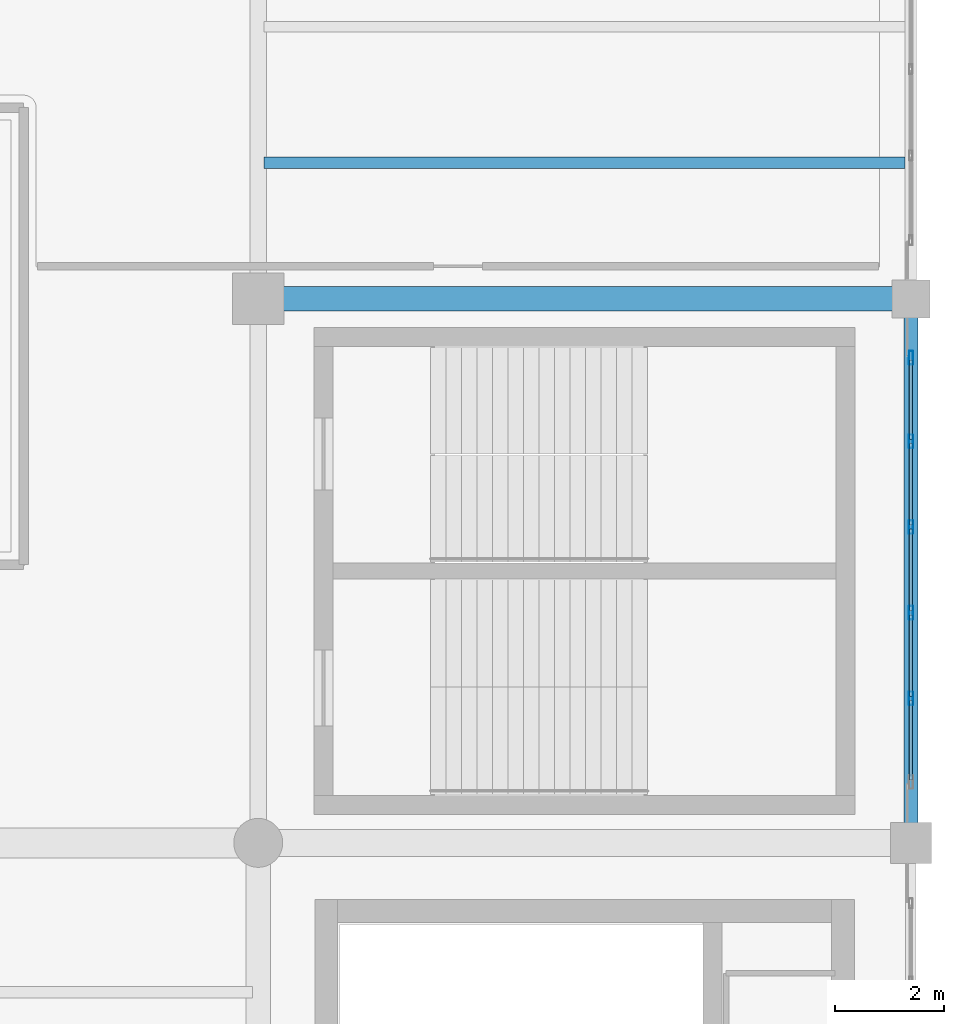
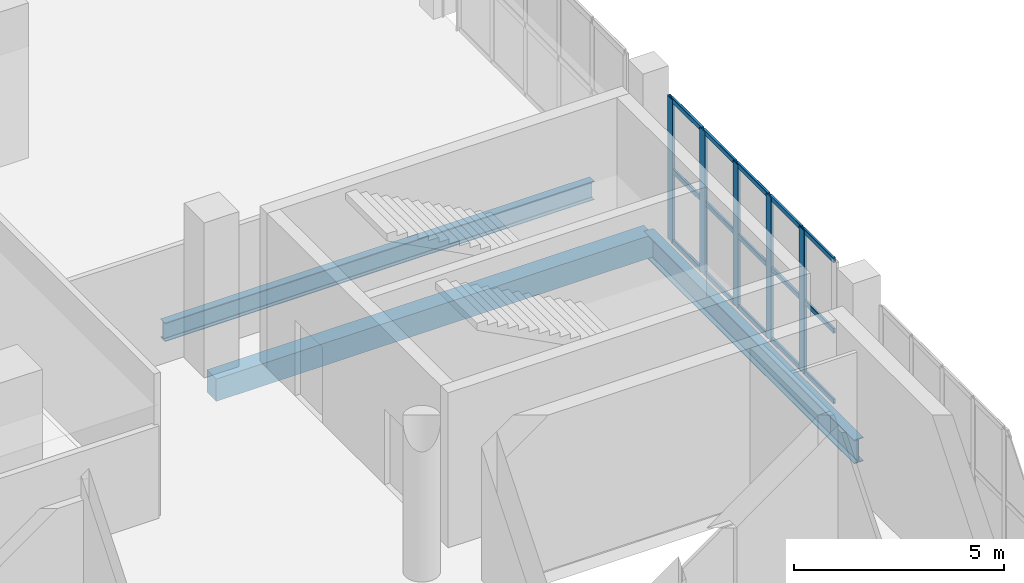
# One storey, part 38 of 90: 20 members, 3 beams, 1 element without a shape of its own.
"""IFC4 building model written with IfcOpenShell, lengths in metres."""

from ifc_helpers import new_model, si_unit, direction, frame, origin, origin_2d, place, context, subcontext, project, spatial, rectangle, hollow_rectangle, i_section, extrude, material, layer, layer_set, material_profile, profile_set, type_object, element, aggregate, save


model = new_model("IFC4")

# Units and contexts
model_context = context("Model", 3, precision=1e-05, world=origin(), true_north=direction((0.0, 1.0)))
body_context = subcontext(model_context, "Body", "Model", "MODEL_VIEW")
ifc_project = project(units=[si_unit("LENGTHUNIT", "METRE"), si_unit("AREAUNIT", "SQUARE_METRE"), si_unit("VOLUMEUNIT", "CUBIC_METRE"), si_unit("PLANEANGLEUNIT", "RADIAN"), si_unit("MASSUNIT", "GRAM", prefix="KILO")], contexts=[model_context])

# Site, building, storey
site_placement = place(None, origin())
site = spatial("IfcSite", under=ifc_project, at=site_placement, CompositionType="ELEMENT")
building_placement = place(site_placement, origin())
building = spatial("IfcBuilding", under=site, at=building_placement, Name="Brinegate Civic Arena", CompositionType="ELEMENT")
storey_placement = place(building_placement, frame((0.0, 0.0, 14.699951171875)))
storey = spatial("IfcBuildingStorey", under=building, at=storey_placement, Name="L03", CompositionType="ELEMENT", Elevation=14.699951171875)

# Curtain wall, members
ifc_material_1 = material(Name="Marine grade aluminium", Category="aluminium")
ifc_layer = layer(ifc_material_1, 0.199951171875, Name="Marine grade aluminium")
ifc_layer_set = layer_set([ifc_layer], Name="Marine grade aluminium")
curtain_wall_type = type_object("IfcCurtainWallType", Name="CW-BOWL-GLAZED-01", PredefinedType="USERDEFINED", material=ifc_layer_set)
curtain_wall_placement = place(storey_placement, origin())
curtain_wall = element("IfcCurtainWall", 1, at=curtain_wall_placement, inside=storey, type_object=curtain_wall_type, Name="Curtain Wall CWA-110", ObjectType="GLAZED CURTAIN WALL", PredefinedType="USERDEFINED")
ifc_material_profile_1 = material_profile(ifc_material_1, hollow_rectangle(XDim=0.074951171875, YDim=0.25, WallThickness=0.006103515625, InnerFilletRadius=0.00390625, OuterFilletRadius=0.008056640625, at=origin_2d()), Name="MUL75X250")
ifc_profile_set_1 = profile_set([ifc_material_profile_1], Name="Marine grade aluminium")
member_type_1 = type_object("IfcMemberType", Name="CW-MULLION-75X250", PredefinedType="MULLION", material=ifc_profile_set_1)
member_1_placement = place(storey_placement, frame((168.0, 44.655029296875, 0.0), z_axis=(0.0, 0.0, 1.0), x_axis=(-1.0, 0.0, 0.0)))
member_1 = element("IfcMember", 2, at=member_1_placement, type_object=member_type_1, Name="CWA-110 mullion 2", PredefinedType="MULLION", context=body_context, shape_type="SweptSolid", body=[
    extrude(hollow_rectangle(XDim=0.074951171875, YDim=0.25, WallThickness=0.006103515625, InnerFilletRadius=0.00390625, OuterFilletRadius=0.008056640625, at=origin_2d()), origin(), (0.0, 0.0, 1.0), 4.16015625),
])
member_2_placement = place(storey_placement, frame((168.0, 46.22998046875, 0.0), z_axis=(0.0, 0.0, 1.0), x_axis=(-1.0, 0.0, 0.0)))
member_2 = element("IfcMember", 3, at=member_2_placement, type_object=member_type_1, Name="CWA-110 mullion 3", PredefinedType="MULLION", context=body_context, shape_type="SweptSolid", body=[
    extrude(hollow_rectangle(XDim=0.074951171875, YDim=0.25, WallThickness=0.006103515625, InnerFilletRadius=0.00390625, OuterFilletRadius=0.008056640625, at=origin_2d()), origin(), (0.0, 0.0, 1.0), 4.16015625),
])
member_3_placement = place(storey_placement, frame((168.0, 47.804931640625, 0.0), z_axis=(0.0, 0.0, 1.0), x_axis=(-1.0, 0.0, 0.0)))
member_3 = element("IfcMember", 4, at=member_3_placement, type_object=member_type_1, Name="CWA-110 mullion 4", PredefinedType="MULLION", context=body_context, shape_type="SweptSolid", body=[
    extrude(hollow_rectangle(XDim=0.074951171875, YDim=0.25, WallThickness=0.006103515625, InnerFilletRadius=0.00390625, OuterFilletRadius=0.008056640625, at=origin_2d()), origin(), (0.0, 0.0, 1.0), 4.16015625),
])
member_4_placement = place(storey_placement, frame((168.0, 49.3798828125, 0.0), z_axis=(0.0, 0.0, 1.0), x_axis=(-1.0, 0.0, 0.0)))
member_4 = element("IfcMember", 5, at=member_4_placement, type_object=member_type_1, Name="CWA-110 mullion 5", PredefinedType="MULLION", context=body_context, shape_type="SweptSolid", body=[
    extrude(hollow_rectangle(XDim=0.074951171875, YDim=0.25, WallThickness=0.006103515625, InnerFilletRadius=0.00390625, OuterFilletRadius=0.008056640625, at=origin_2d()), origin(), (0.0, 0.0, 1.0), 4.16015625),
])
member_5_placement = place(storey_placement, frame((168.0, 50.91748046875, 0.0), z_axis=(0.0, 0.0, 1.0), x_axis=(-1.0, 0.0, 0.0)))
member_5 = element("IfcMember", 6, at=member_5_placement, type_object=member_type_1, Name="CWA-110 mullion 6", PredefinedType="MULLION", context=body_context, shape_type="SweptSolid", body=[
    extrude(hollow_rectangle(XDim=0.074951171875, YDim=0.25, WallThickness=0.006103515625, InnerFilletRadius=0.00390625, OuterFilletRadius=0.008056640625, at=origin_2d()), origin(), (0.0, 0.0, 1.0), 4.16015625),
])
ifc_material_profile_2 = material_profile(ifc_material_1, hollow_rectangle(XDim=0.06494140625, YDim=0.139892578125, WallThickness=0.0048828125, InnerFilletRadius=0.00390625, OuterFilletRadius=0.008056640625, at=origin_2d()), Name="TRN65X140")
ifc_profile_set_2 = profile_set([ifc_material_profile_2], Name="Marine grade aluminium")
member_type_2 = type_object("IfcMemberType", Name="CW-TRANSOM-65X140", PredefinedType="USERDEFINED", material=ifc_profile_set_2)
member_6_placement = place(storey_placement, frame((168.0, 43.155029296875, 0.032470703125), z_axis=(0.0, 1.0, 0.0), x_axis=(-1.0, 0.0, 0.0)))
member_6 = element("IfcMember", 7, at=member_6_placement, type_object=member_type_2, Name="CWA-110 transom 1.1", ObjectType="TRANSOM", PredefinedType="USERDEFINED", context=body_context, shape_type="SweptSolid", body=[
    extrude(hollow_rectangle(XDim=0.06494140625, YDim=0.139892578125, WallThickness=0.0048828125, InnerFilletRadius=0.00390625, OuterFilletRadius=0.008056640625, at=origin_2d()), origin(), (0.0, 0.0, 1.0), 1.46240234375),
])
member_7_placement = place(storey_placement, frame((168.0, 43.155029296875, 2.080078125), z_axis=(0.0, 1.0, 0.0), x_axis=(-1.0, 0.0, 0.0)))
member_7 = element("IfcMember", 8, at=member_7_placement, type_object=member_type_2, Name="CWA-110 transom 1.2", ObjectType="TRANSOM", PredefinedType="USERDEFINED", context=body_context, shape_type="SweptSolid", body=[
    extrude(hollow_rectangle(XDim=0.06494140625, YDim=0.139892578125, WallThickness=0.0048828125, InnerFilletRadius=0.00390625, OuterFilletRadius=0.008056640625, at=origin_2d()), origin(), (0.0, 0.0, 1.0), 1.46240234375),
])
member_8_placement = place(storey_placement, frame((168.0, 43.155029296875, 4.12744140625), z_axis=(0.0, 1.0, 0.0), x_axis=(-1.0, 0.0, 0.0)))
member_8 = element("IfcMember", 9, at=member_8_placement, type_object=member_type_2, Name="CWA-110 transom 1.3", ObjectType="TRANSOM", PredefinedType="USERDEFINED", context=body_context, shape_type="SweptSolid", body=[
    extrude(hollow_rectangle(XDim=0.06494140625, YDim=0.139892578125, WallThickness=0.0048828125, InnerFilletRadius=0.00390625, OuterFilletRadius=0.008056640625, at=origin_2d()), origin(), (0.0, 0.0, 1.0), 1.46240234375),
])
member_9_placement = place(storey_placement, frame((168.0, 44.6923828125, 0.032470703125), z_axis=(0.0, 1.0, 0.0), x_axis=(-1.0, 0.0, 0.0)))
member_9 = element("IfcMember", 10, at=member_9_placement, type_object=member_type_2, Name="CWA-110 transom 2.1", ObjectType="TRANSOM", PredefinedType="USERDEFINED", context=body_context, shape_type="SweptSolid", body=[
    extrude(hollow_rectangle(XDim=0.06494140625, YDim=0.139892578125, WallThickness=0.0048828125, InnerFilletRadius=0.00390625, OuterFilletRadius=0.008056640625, at=origin_2d()), origin(), (0.0, 0.0, 1.0), 1.5),
])
member_10_placement = place(storey_placement, frame((168.0, 44.6923828125, 2.080078125), z_axis=(0.0, 1.0, 0.0), x_axis=(-1.0, 0.0, 0.0)))
member_10 = element("IfcMember", 11, at=member_10_placement, type_object=member_type_2, Name="CWA-110 transom 2.2", ObjectType="TRANSOM", PredefinedType="USERDEFINED", context=body_context, shape_type="SweptSolid", body=[
    extrude(hollow_rectangle(XDim=0.06494140625, YDim=0.139892578125, WallThickness=0.0048828125, InnerFilletRadius=0.00390625, OuterFilletRadius=0.008056640625, at=origin_2d()), origin(), (0.0, 0.0, 1.0), 1.5),
])
member_11_placement = place(storey_placement, frame((168.0, 44.6923828125, 4.12744140625), z_axis=(0.0, 1.0, 0.0), x_axis=(-1.0, 0.0, 0.0)))
member_11 = element("IfcMember", 12, at=member_11_placement, type_object=member_type_2, Name="CWA-110 transom 2.3", ObjectType="TRANSOM", PredefinedType="USERDEFINED", context=body_context, shape_type="SweptSolid", body=[
    extrude(hollow_rectangle(XDim=0.06494140625, YDim=0.139892578125, WallThickness=0.0048828125, InnerFilletRadius=0.00390625, OuterFilletRadius=0.008056640625, at=origin_2d()), origin(), (0.0, 0.0, 1.0), 1.5),
])
member_12_placement = place(storey_placement, frame((168.0, 46.267578125, 0.032470703125), z_axis=(0.0, 1.0, 0.0), x_axis=(-1.0, 0.0, 0.0)))
member_12 = element("IfcMember", 13, at=member_12_placement, type_object=member_type_2, Name="CWA-110 transom 3.1", ObjectType="TRANSOM", PredefinedType="USERDEFINED", context=body_context, shape_type="SweptSolid", body=[
    extrude(hollow_rectangle(XDim=0.06494140625, YDim=0.139892578125, WallThickness=0.0048828125, InnerFilletRadius=0.00390625, OuterFilletRadius=0.008056640625, at=origin_2d()), origin(), (0.0, 0.0, 1.0), 1.5),
])
member_13_placement = place(storey_placement, frame((168.0, 46.267578125, 2.080078125), z_axis=(0.0, 1.0, 0.0), x_axis=(-1.0, 0.0, 0.0)))
member_13 = element("IfcMember", 14, at=member_13_placement, type_object=member_type_2, Name="CWA-110 transom 3.2", ObjectType="TRANSOM", PredefinedType="USERDEFINED", context=body_context, shape_type="SweptSolid", body=[
    extrude(hollow_rectangle(XDim=0.06494140625, YDim=0.139892578125, WallThickness=0.0048828125, InnerFilletRadius=0.00390625, OuterFilletRadius=0.008056640625, at=origin_2d()), origin(), (0.0, 0.0, 1.0), 1.5),
])
member_14_placement = place(storey_placement, frame((168.0, 46.267578125, 4.12744140625), z_axis=(0.0, 1.0, 0.0), x_axis=(-1.0, 0.0, 0.0)))
member_14 = element("IfcMember", 15, at=member_14_placement, type_object=member_type_2, Name="CWA-110 transom 3.3", ObjectType="TRANSOM", PredefinedType="USERDEFINED", context=body_context, shape_type="SweptSolid", body=[
    extrude(hollow_rectangle(XDim=0.06494140625, YDim=0.139892578125, WallThickness=0.0048828125, InnerFilletRadius=0.00390625, OuterFilletRadius=0.008056640625, at=origin_2d()), origin(), (0.0, 0.0, 1.0), 1.5),
])
member_15_placement = place(storey_placement, frame((168.0, 47.842529296875, 0.032470703125), z_axis=(0.0, 1.0, 0.0), x_axis=(-1.0, 0.0, 0.0)))
member_15 = element("IfcMember", 16, at=member_15_placement, type_object=member_type_2, Name="CWA-110 transom 4.1", ObjectType="TRANSOM", PredefinedType="USERDEFINED", context=body_context, shape_type="SweptSolid", body=[
    extrude(hollow_rectangle(XDim=0.06494140625, YDim=0.139892578125, WallThickness=0.0048828125, InnerFilletRadius=0.00390625, OuterFilletRadius=0.008056640625, at=origin_2d()), origin(), (0.0, 0.0, 1.0), 1.5),
])
member_16_placement = place(storey_placement, frame((168.0, 47.842529296875, 2.080078125), z_axis=(0.0, 1.0, 0.0), x_axis=(-1.0, 0.0, 0.0)))
member_16 = element("IfcMember", 17, at=member_16_placement, type_object=member_type_2, Name="CWA-110 transom 4.2", ObjectType="TRANSOM", PredefinedType="USERDEFINED", context=body_context, shape_type="SweptSolid", body=[
    extrude(hollow_rectangle(XDim=0.06494140625, YDim=0.139892578125, WallThickness=0.0048828125, InnerFilletRadius=0.00390625, OuterFilletRadius=0.008056640625, at=origin_2d()), origin(), (0.0, 0.0, 1.0), 1.5),
])
member_17_placement = place(storey_placement, frame((168.0, 47.842529296875, 4.12744140625), z_axis=(0.0, 1.0, 0.0), x_axis=(-1.0, 0.0, 0.0)))
member_17 = element("IfcMember", 18, at=member_17_placement, type_object=member_type_2, Name="CWA-110 transom 4.3", ObjectType="TRANSOM", PredefinedType="USERDEFINED", context=body_context, shape_type="SweptSolid", body=[
    extrude(hollow_rectangle(XDim=0.06494140625, YDim=0.139892578125, WallThickness=0.0048828125, InnerFilletRadius=0.00390625, OuterFilletRadius=0.008056640625, at=origin_2d()), origin(), (0.0, 0.0, 1.0), 1.5),
])
member_18_placement = place(storey_placement, frame((168.0, 49.41748046875, 0.032470703125), z_axis=(0.0, 1.0, 0.0), x_axis=(-1.0, 0.0, 0.0)))
member_18 = element("IfcMember", 19, at=member_18_placement, type_object=member_type_2, Name="CWA-110 transom 5.1", ObjectType="TRANSOM", PredefinedType="USERDEFINED", context=body_context, shape_type="SweptSolid", body=[
    extrude(hollow_rectangle(XDim=0.06494140625, YDim=0.139892578125, WallThickness=0.0048828125, InnerFilletRadius=0.00390625, OuterFilletRadius=0.008056640625, at=origin_2d()), origin(), (0.0, 0.0, 1.0), 1.46240234375),
])
member_19_placement = place(storey_placement, frame((168.0, 49.41748046875, 2.080078125), z_axis=(0.0, 1.0, 0.0), x_axis=(-1.0, 0.0, 0.0)))
member_19 = element("IfcMember", 20, at=member_19_placement, type_object=member_type_2, Name="CWA-110 transom 5.2", ObjectType="TRANSOM", PredefinedType="USERDEFINED", context=body_context, shape_type="SweptSolid", body=[
    extrude(hollow_rectangle(XDim=0.06494140625, YDim=0.139892578125, WallThickness=0.0048828125, InnerFilletRadius=0.00390625, OuterFilletRadius=0.008056640625, at=origin_2d()), origin(), (0.0, 0.0, 1.0), 1.46240234375),
])
member_20_placement = place(storey_placement, frame((168.0, 49.41748046875, 4.12744140625), z_axis=(0.0, 1.0, 0.0), x_axis=(-1.0, 0.0, 0.0)))
member_20 = element("IfcMember", 21, at=member_20_placement, type_object=member_type_2, Name="CWA-110 transom 5.3", ObjectType="TRANSOM", PredefinedType="USERDEFINED", context=body_context, shape_type="SweptSolid", body=[
    extrude(hollow_rectangle(XDim=0.06494140625, YDim=0.139892578125, WallThickness=0.0048828125, InnerFilletRadius=0.00390625, OuterFilletRadius=0.008056640625, at=origin_2d()), origin(), (0.0, 0.0, 1.0), 1.46240234375),
])
aggregate(curtain_wall, [member_1, member_2, member_3, member_4, member_5, member_6, member_7, member_8, member_9, member_10, member_11, member_12, member_13, member_14, member_15, member_16, member_17, member_18, member_19, member_20])

# Beams
ifc_material_2 = material(Name="Steel S355", Category="steel")
ifc_material_profile_3 = material_profile(ifc_material_2, i_section(OverallWidth=0.2119140625, OverallDepth=0.5439453125, WebThickness=0.012939453125, FlangeThickness=0.02099609375, FilletRadius=0.01611328125, at=origin_2d()), Name="W530X123")
ifc_profile_set_3 = profile_set([ifc_material_profile_3], Name="Steel S355")
beam_type_1 = type_object("IfcBeamType", Name="JOIST-W530X123", PredefinedType="JOIST", material=ifc_profile_set_3)
beam_1_placement = place(storey_placement, frame((156.10595703125, 54.5, -0.6220703125), z_axis=(1.0, 0.0, 0.0), x_axis=(0.0, 1.0, 0.0)))
element("IfcBeam", 22, at=beam_1_placement, inside=storey, type_object=beam_type_1, Name="Secondary Joist BM-L03-JX-13-05-1", PredefinedType="JOIST", context=body_context, shape_type="SweptSolid", body=[
    extrude(i_section(OverallWidth=0.2119140625, OverallDepth=0.5439453125, WebThickness=0.012939453125, FlangeThickness=0.02099609375, FilletRadius=0.01611328125, at=origin_2d()), origin(), (0.0, 0.0, 1.0), 11.7880859375),
])
ifc_material_3 = material(Name="Concrete C50/60", Category="concrete")
ifc_material_profile_4 = material_profile(ifc_material_3, rectangle(XDim=0.449951171875, YDim=0.64990234375, at=origin_2d()), Name="RCB450X650")
ifc_profile_set_4 = profile_set([ifc_material_profile_4], Name="Concrete C50/60")
beam_type_2 = type_object("IfcBeamType", Name="RCG-450X650", PredefinedType="BEAM", material=ifc_profile_set_4)
beam_2_placement = place(storey_placement, frame((156.0, 52.0, -0.675048828125), z_axis=(1.0, 0.0, 0.0), x_axis=(0.0, 1.0, 0.0)))
element("IfcBeam", 23, at=beam_2_placement, inside=storey, type_object=beam_type_2, Name="Floor Girder BM-L03-GX-13-05", PredefinedType="BEAM", context=body_context, shape_type="SweptSolid", body=[
    extrude(rectangle(XDim=0.449951171875, YDim=0.64990234375, at=origin_2d()), origin(), (0.0, 0.0, 1.0), 12.0),
])
ifc_material_profile_5 = material_profile(ifc_material_2, i_section(OverallWidth=0.256103515625, OverallDepth=0.693115234375, WebThickness=0.014892578125, FlangeThickness=0.02392578125, FilletRadius=0.01806640625, at=origin_2d()), Name="W690X170")
ifc_profile_set_5 = profile_set([ifc_material_profile_5], Name="Steel S355")
beam_type_3 = type_object("IfcBeamType", Name="SPANDREL-W690X170", PredefinedType="SPANDREL", material=ifc_profile_set_5)
beam_3_placement = place(storey_placement, frame((168.0, 42.0, -0.696044921875), z_axis=(0.0, 1.0, 0.0), x_axis=(-1.0, 0.0, 0.0)))
element("IfcBeam", 24, at=beam_3_placement, inside=storey, type_object=beam_type_3, Name="Floor Girder BM-L03-GY-14-04", PredefinedType="SPANDREL", context=body_context, shape_type="SweptSolid", body=[
    extrude(i_section(OverallWidth=0.256103515625, OverallDepth=0.693115234375, WebThickness=0.014892578125, FlangeThickness=0.02392578125, FilletRadius=0.01806640625, at=origin_2d()), origin(), (0.0, 0.0, 1.0), 10.0),
])

save(model, "model.ifc")
